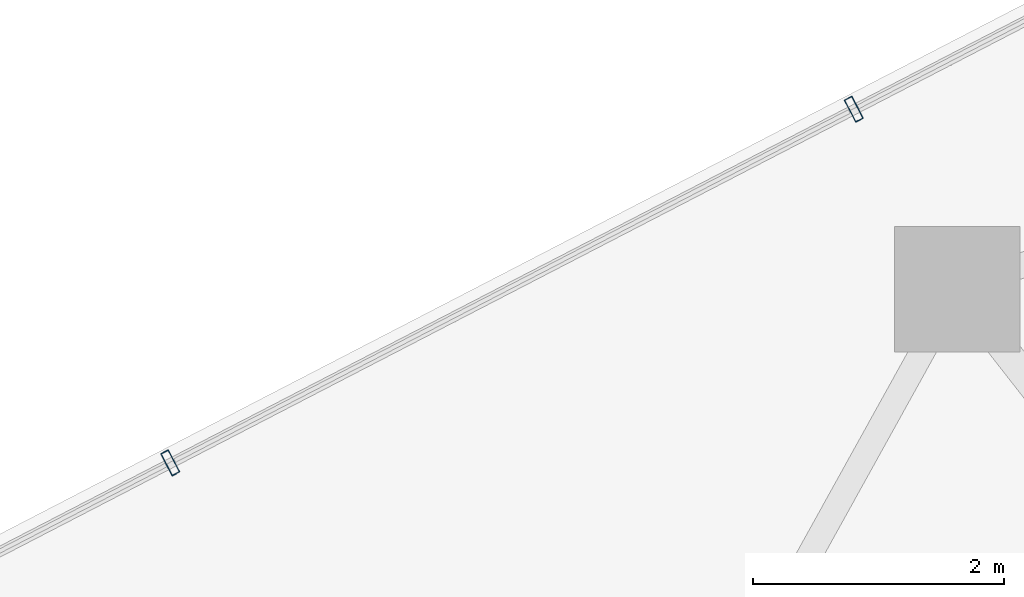
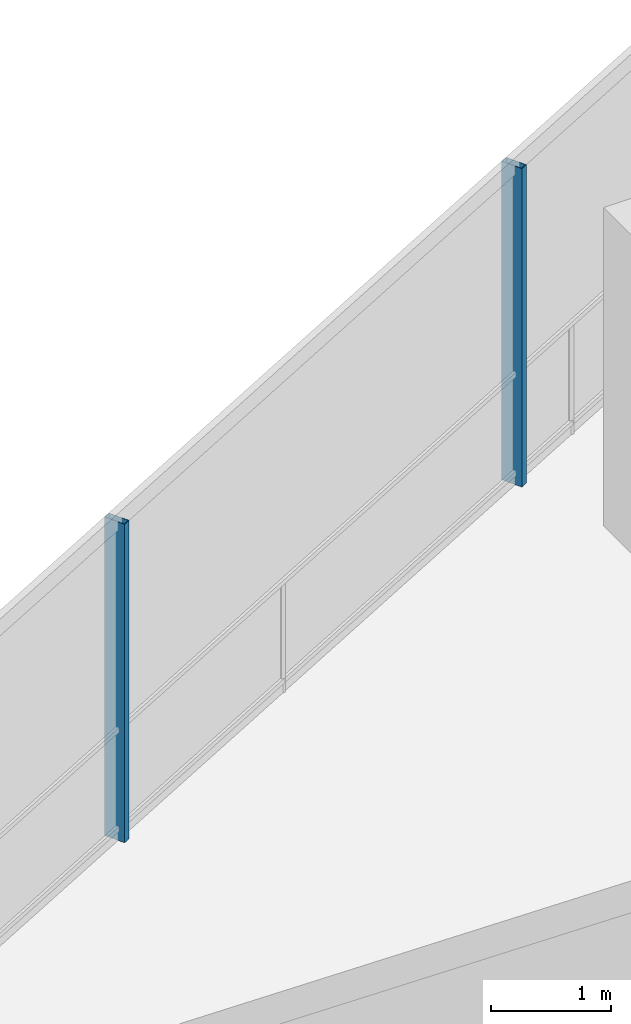
# One storey, part 11 of 20: 2 members, 1 element without a shape of its own.
"""IFC4 building model written with IfcOpenShell, lengths in metres."""

from ifc_helpers import new_model, si_unit, direction, frame, origin, origin_2d, place, context, subcontext, project, spatial, hollow_rectangle, extrude, material, layer, layer_set, material_profile, profile_set, type_object, element, aggregate, save


model = new_model("IFC4")

# Units and contexts
model_context = context("Model", 3, precision=1e-05, world=origin(), true_north=direction((0.0, 1.0)))
body_context = subcontext(model_context, "Body", "Model", "MODEL_VIEW")
ifc_project = project(units=[si_unit("LENGTHUNIT", "METRE"), si_unit("AREAUNIT", "SQUARE_METRE"), si_unit("VOLUMEUNIT", "CUBIC_METRE"), si_unit("PLANEANGLEUNIT", "RADIAN"), si_unit("MASSUNIT", "GRAM", prefix="KILO")], contexts=[model_context])

# Site, building, storey
site_placement = place(None, origin())
site = spatial("IfcSite", under=ifc_project, at=site_placement, CompositionType="ELEMENT")
building_placement = place(site_placement, origin())
building = spatial("IfcBuilding", under=site, at=building_placement, Name="Qarnah Convention Tower", CompositionType="ELEMENT")
storey_placement = place(building_placement, frame((0.0, 0.0, 168.89990234375)))
storey = spatial("IfcBuildingStorey", under=building, at=storey_placement, Name="L45", CompositionType="ELEMENT", Elevation=168.89990234375)

# Curtain wall, members
ifc_material_1 = material(Name="Tempered Low-E dark glass", Category="glass")
ifc_layer = layer(ifc_material_1, 0.172119140625)
ifc_layer_set = layer_set([ifc_layer], Name="Tempered Low-E dark glass")
curtain_wall_type = type_object("IfcCurtainWallType", Name="CWS-03", PredefinedType="NOTDEFINED", material=ifc_layer_set)
curtain_wall_placement = place(storey_placement, origin())
curtain_wall = element("IfcCurtainWall", 1, at=curtain_wall_placement, inside=storey, type_object=curtain_wall_type, Name="L45 unitised curtain wall CW-L45-F2", PredefinedType="NOTDEFINED")
ifc_material_2 = material(Name="Black anodised aluminium", Category="aluminium")
ifc_material_profile = material_profile(ifc_material_2, hollow_rectangle(XDim=0.070068359375, YDim=0.199951171875, WallThickness=0.0048828125, at=origin_2d()), Name="MUL-70X200")
ifc_profile_set = profile_set([ifc_material_profile], Name="Black anodised aluminium")
member_type = type_object("IfcMemberType", Name="MUL-T3", PredefinedType="MULLION", material=ifc_profile_set)
member_1_placement = place(storey_placement, frame((21.7841796875, 36.716796875, 0.0), z_axis=(0.0, 0.0, 1.0), x_axis=(0.888134603935, 0.459583425826, 0.0)))
member_1 = element("IfcMember", 2, at=member_1_placement, type_object=member_type, Name="CW-L45-F2 mullion 2", PredefinedType="MULLION", context=body_context, shape_type="SweptSolid", body=[
    extrude(hollow_rectangle(XDim=0.070068359375, YDim=0.199951171875, WallThickness=0.0048828125, at=origin_2d()), origin(), (0.0, 0.0, 1.0), 3.239990234375),
])
member_2_placement = place(storey_placement, frame((27.2333984375, 39.53662109375, 0.0), z_axis=(0.0, 0.0, 1.0), x_axis=(0.888134603935, 0.459583425826, 0.0)))
member_2 = element("IfcMember", 3, at=member_2_placement, type_object=member_type, Name="CW-L45-F2 mullion 3", PredefinedType="MULLION", context=body_context, shape_type="SweptSolid", body=[
    extrude(hollow_rectangle(XDim=0.070068359375, YDim=0.199951171875, WallThickness=0.0048828125, at=origin_2d()), origin(), (0.0, 0.0, 1.0), 3.239990234375),
])
aggregate(curtain_wall, [member_1, member_2])

save(model, "model.ifc")
